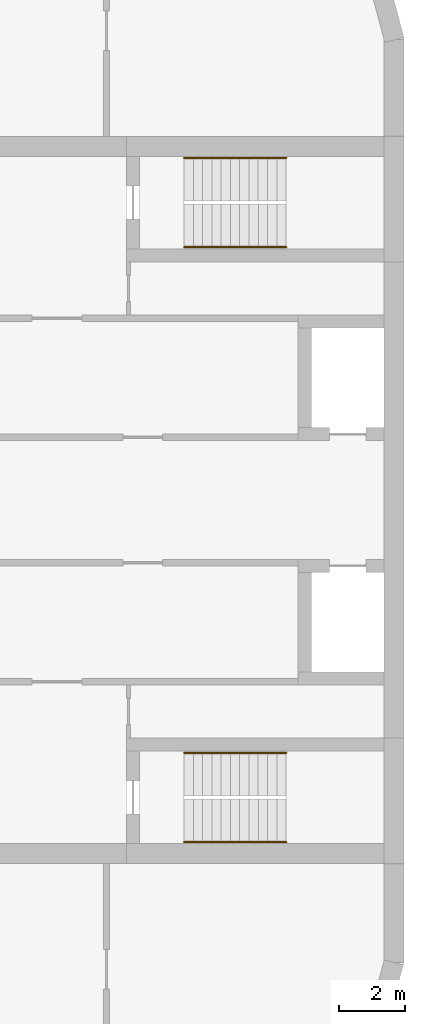
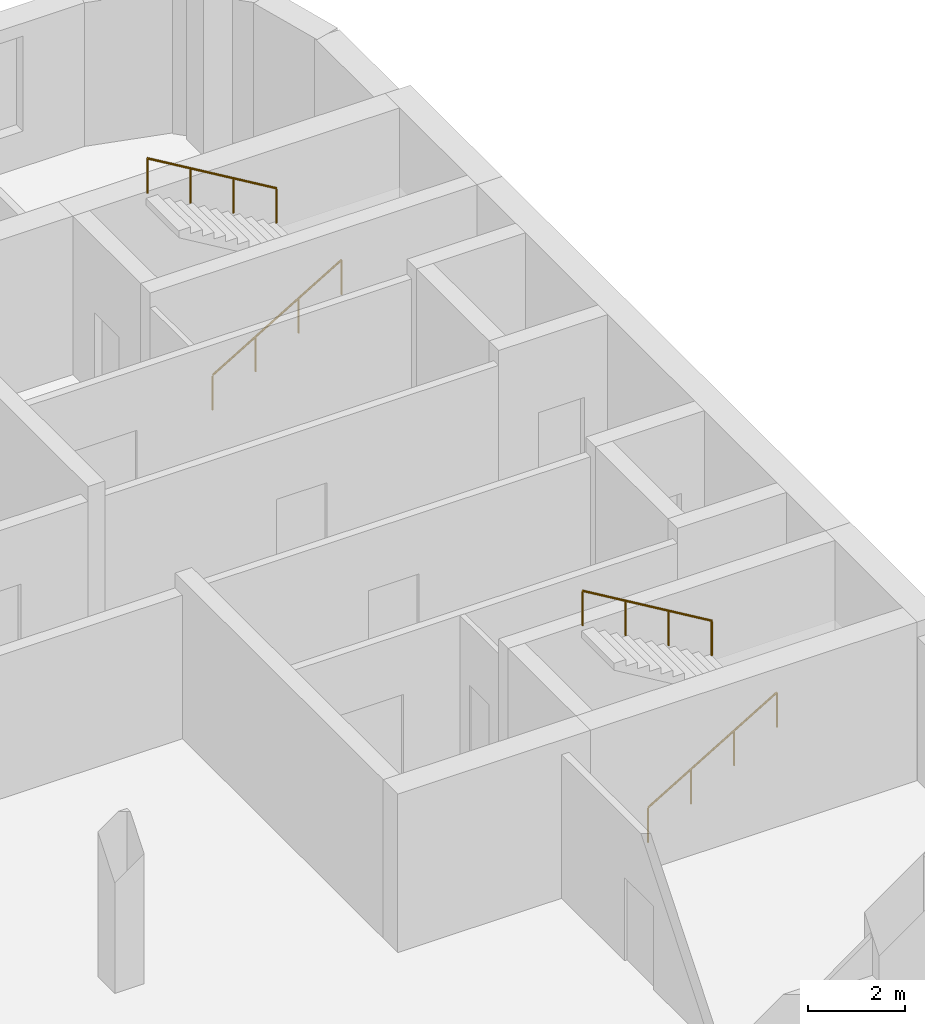
# One storey, part 12 of 12: 4 railings.
"""IFC4 building model written with IfcOpenShell, lengths in metres."""

from ifc_helpers import new_model, si_unit, direction, frame, origin, origin_2d, place, context, subcontext, project, spatial, circle, extrude, material, type_object, element, save


model = new_model("IFC4")

# Units and contexts
model_context = context("Model", 3, precision=1e-05, world=origin(), true_north=direction((0.0, 1.0)))
body_context = subcontext(model_context, "Body", "Model", "MODEL_VIEW")
ifc_project = project(units=[si_unit("LENGTHUNIT", "METRE"), si_unit("AREAUNIT", "SQUARE_METRE"), si_unit("VOLUMEUNIT", "CUBIC_METRE"), si_unit("PLANEANGLEUNIT", "RADIAN"), si_unit("MASSUNIT", "GRAM", prefix="KILO")], contexts=[model_context])

# Site, building, storey
site_placement = place(None, origin())
site = spatial("IfcSite", under=ifc_project, at=site_placement, CompositionType="ELEMENT")
building_placement = place(site_placement, origin())
building = spatial("IfcBuilding", under=site, at=building_placement, Name="Skarvind Civic Tower", CompositionType="ELEMENT")
storey_placement = place(building_placement, frame((0.0, 0.0, 59.5)))
storey = spatial("IfcBuildingStorey", under=building, at=storey_placement, Name="L13", CompositionType="ELEMENT", Elevation=59.5)

# Railings
ifc_material = material(Name="Painted steel handrail", Category="steel")
railing_type = type_object("IfcRailingType", Name="Stair handrail 900", PredefinedType="HANDRAIL", material=ifc_material)
railing_1_placement = place(storey_placement, frame((160.35009765625, 135.64990234375, 0.166748046875)))
element("IfcRailing", 1, at=railing_1_placement, inside=storey, type_object=railing_type, Name="Stair handrail", PredefinedType="HANDRAIL", context=body_context, shape_type="SweptSolid", body=[
    extrude(circle(Radius=0.02392578125, at=origin_2d()), frame((0.0, 0.0, 0.8759765625), z_axis=(0.859290745958, 0.0, 0.51148745235), x_axis=(0.0, 1.0, 0.0)), (0.0, 0.0, 1.0), 3.584228515625),
    extrude(circle(Radius=0.02099609375, at=origin_2d()), origin(), (0.0, 0.0, 1.0), 0.851806640625),
    extrude(circle(Radius=0.02099609375, at=origin_2d()), frame((1.026611328125, 0.0, 0.611083984375)), (0.0, 0.0, 1.0), 0.851806640625),
    extrude(circle(Radius=0.02099609375, at=origin_2d()), frame((2.05322265625, 0.0, 1.22216796875)), (0.0, 0.0, 1.0), 0.851806640625),
    extrude(circle(Radius=0.02099609375, at=origin_2d()), frame((3.079833984375, 0.0, 1.833251953125)), (0.0, 0.0, 1.0), 0.851806640625),
])
railing_2_placement = place(storey_placement, frame((163.429931640625, 138.35009765625, 2.166748046875)))
element("IfcRailing", 2, at=railing_2_placement, inside=storey, type_object=railing_type, Name="Stair handrail", PredefinedType="HANDRAIL", context=body_context, shape_type="SweptSolid", body=[
    extrude(circle(Radius=0.02392578125, at=origin_2d()), frame((0.0, 0.0, 0.8759765625), z_axis=(-0.859290745958, 0.0, 0.51148745235), x_axis=(0.0, -1.0, 0.0)), (0.0, 0.0, 1.0), 3.584228515625),
    extrude(circle(Radius=0.02099609375, at=origin_2d()), origin(), (0.0, 0.0, 1.0), 0.851806640625),
    extrude(circle(Radius=0.02099609375, at=origin_2d()), frame((-1.026611328125, 0.0, 0.611083984375)), (0.0, 0.0, 1.0), 0.851806640625),
    extrude(circle(Radius=0.02099609375, at=origin_2d()), frame((-2.05322265625, 0.0, 1.22216796875)), (0.0, 0.0, 1.0), 0.851806640625),
    extrude(circle(Radius=0.02099609375, at=origin_2d()), frame((-3.079833984375, 0.0, 1.833251953125)), (0.0, 0.0, 1.0), 0.851806640625),
])
railing_3_placement = place(storey_placement, frame((160.35009765625, 117.64990234375, 0.166748046875)))
element("IfcRailing", 3, at=railing_3_placement, inside=storey, type_object=railing_type, Name="Stair handrail", PredefinedType="HANDRAIL", context=body_context, shape_type="SweptSolid", body=[
    extrude(circle(Radius=0.02392578125, at=origin_2d()), frame((0.0, 0.0, 0.8759765625), z_axis=(0.859290745958, 0.0, 0.51148745235), x_axis=(0.0, 1.0, 0.0)), (0.0, 0.0, 1.0), 3.584228515625),
    extrude(circle(Radius=0.02099609375, at=origin_2d()), origin(), (0.0, 0.0, 1.0), 0.851806640625),
    extrude(circle(Radius=0.02099609375, at=origin_2d()), frame((1.026611328125, 0.0, 0.611083984375)), (0.0, 0.0, 1.0), 0.851806640625),
    extrude(circle(Radius=0.02099609375, at=origin_2d()), frame((2.05322265625, 0.0, 1.22216796875)), (0.0, 0.0, 1.0), 0.851806640625),
    extrude(circle(Radius=0.02099609375, at=origin_2d()), frame((3.079833984375, 0.0, 1.833251953125)), (0.0, 0.0, 1.0), 0.851806640625),
])
railing_4_placement = place(storey_placement, frame((163.429931640625, 120.35009765625, 2.166748046875)))
element("IfcRailing", 4, at=railing_4_placement, inside=storey, type_object=railing_type, Name="Stair handrail", PredefinedType="HANDRAIL", context=body_context, shape_type="SweptSolid", body=[
    extrude(circle(Radius=0.02392578125, at=origin_2d()), frame((0.0, 0.0, 0.8759765625), z_axis=(-0.859290745958, 0.0, 0.51148745235), x_axis=(0.0, -1.0, 0.0)), (0.0, 0.0, 1.0), 3.584228515625),
    extrude(circle(Radius=0.02099609375, at=origin_2d()), origin(), (0.0, 0.0, 1.0), 0.851806640625),
    extrude(circle(Radius=0.02099609375, at=origin_2d()), frame((-1.026611328125, 0.0, 0.611083984375)), (0.0, 0.0, 1.0), 0.851806640625),
    extrude(circle(Radius=0.02099609375, at=origin_2d()), frame((-2.05322265625, 0.0, 1.22216796875)), (0.0, 0.0, 1.0), 0.851806640625),
    extrude(circle(Radius=0.02099609375, at=origin_2d()), frame((-3.079833984375, 0.0, 1.833251953125)), (0.0, 0.0, 1.0), 0.851806640625),
])

save(model, "model.ifc")
